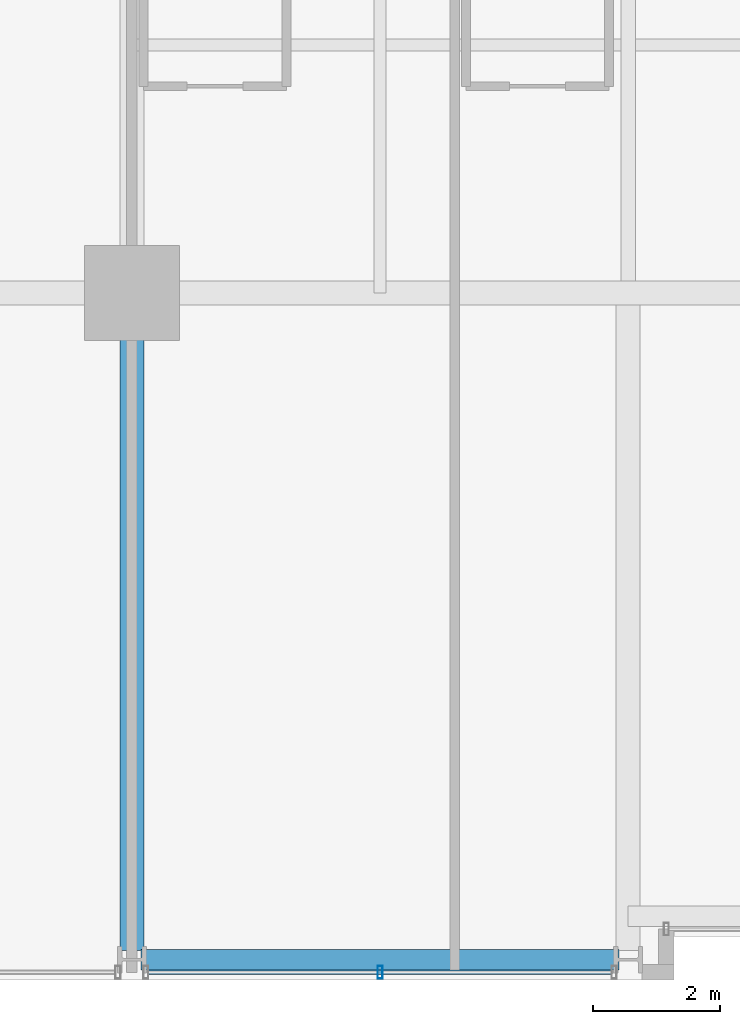
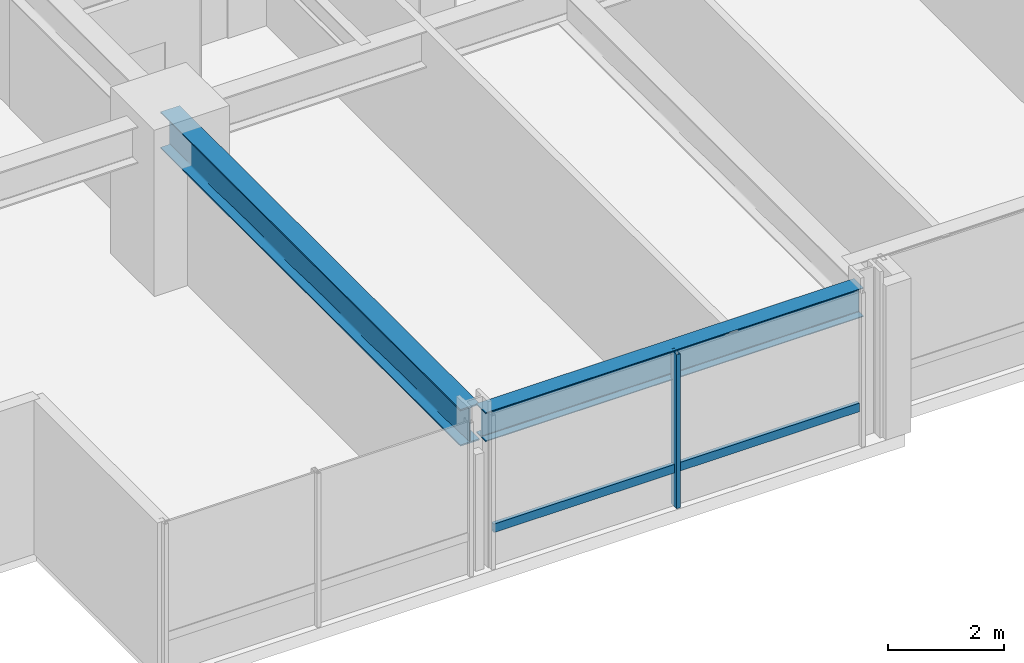
# One storey, part 3 of 35: 2 beams, 2 members, 1 element without a shape of its own.
"""IFC4 building model written with IfcOpenShell, lengths in metres."""

from ifc_helpers import new_model, si_unit, direction, frame, origin, origin_2d, place, context, subcontext, project, spatial, hollow_rectangle, i_section, extrude, material, layer, layer_set, material_profile, profile_set, type_object, element, aggregate, save


model = new_model("IFC4")

# Units and contexts
model_context = context("Model", 3, precision=1e-05, world=origin(), true_north=direction((0.0, 1.0)))
body_context = subcontext(model_context, "Body", "Model", "MODEL_VIEW")
ifc_project = project(units=[si_unit("LENGTHUNIT", "METRE"), si_unit("AREAUNIT", "SQUARE_METRE"), si_unit("VOLUMEUNIT", "CUBIC_METRE"), si_unit("PLANEANGLEUNIT", "RADIAN"), si_unit("MASSUNIT", "GRAM", prefix="KILO")], contexts=[model_context])

# Site, building, storey
site_placement = place(None, origin())
site = spatial("IfcSite", under=ifc_project, at=site_placement, CompositionType="ELEMENT")
building_placement = place(site_placement, origin())
building = spatial("IfcBuilding", under=site, at=building_placement, Name="Drelvath Grand Hotel", CompositionType="ELEMENT")
storey_placement = place(building_placement, frame((0.0, 0.0, 95.300048828125)))
storey = spatial("IfcBuildingStorey", under=building, at=storey_placement, Name="L23", CompositionType="ELEMENT", Elevation=95.300048828125)

# Curtain wall, members
ifc_material_1 = material(Name="Champagne Bronze Anodised Aluminium Frame", Category="aluminium")
ifc_layer = layer(ifc_material_1, 0.199951171875)
ifc_layer_set = layer_set([ifc_layer], Name="Champagne Bronze Anodised Aluminium Frame")
curtain_wall_type = type_object("IfcCurtainWallType", Name="Stick Curtain Wall CW-03 Champagne Bronze Mid-Rise", PredefinedType="NOTDEFINED", material=ifc_layer_set)
curtain_wall_placement = place(storey_placement, origin())
curtain_wall = element("IfcCurtainWall", 1, at=curtain_wall_placement, inside=storey, type_object=curtain_wall_type, Name="L23 CW-03 Curtain Wall CW03-L23-SW2", PredefinedType="NOTDEFINED")
ifc_material_profile_1 = material_profile(ifc_material_1, hollow_rectangle(XDim=0.074951171875, YDim=0.179931640625, WallThickness=0.0048828125, at=origin_2d()), Name="HSS180X75X5")
ifc_profile_set_1 = profile_set([ifc_material_profile_1], Name="Champagne Bronze Anodised Aluminium Frame")
member_type_1 = type_object("IfcMemberType", Name="Curtain Wall Horizontal Transom CW-03 HSS180X75X5", PredefinedType="USERDEFINED", material=ifc_profile_set_1)
member_1_placement = place(storey_placement, frame((-8.65966796875, 0.1201171875, 0.81005859375), z_axis=(-1.0, 0.0, 0.0), x_axis=(0.0, -1.0, 0.0)))
member_1 = element("IfcMember", 2, at=member_1_placement, type_object=member_type_1, Name="CW03-L23-SW2 Sill Transom", ObjectType="TRANSOM", PredefinedType="USERDEFINED", context=body_context, shape_type="SweptSolid", body=[
    extrude(hollow_rectangle(XDim=0.074951171875, YDim=0.179931640625, WallThickness=0.0048828125, at=origin_2d()), origin(), (0.0, 0.0, 1.0), 7.28076171875),
])
ifc_material_profile_2 = material_profile(ifc_material_1, hollow_rectangle(XDim=0.080078125, YDim=0.199951171875, WallThickness=0.0048828125, at=origin_2d()), Name="HSS200X80X5")
ifc_profile_set_2 = profile_set([ifc_material_profile_2], Name="Champagne Bronze Anodised Aluminium Frame")
member_type_2 = type_object("IfcMemberType", Name="Curtain Wall Vertical Mullion CW-03 HSS200X80X5", PredefinedType="MULLION", material=ifc_profile_set_2)
member_2_placement = place(storey_placement, frame((-12.300048828125, 0.1201171875, 0.0), z_axis=(0.0, 0.0, 1.0), x_axis=(1.0, 0.0, 0.0)))
member_2 = element("IfcMember", 3, at=member_2_placement, type_object=member_type_2, Name="CW03-L23-SW2 Mullion 2", PredefinedType="MULLION", context=body_context, shape_type="SweptSolid", body=[
    extrude(hollow_rectangle(XDim=0.080078125, YDim=0.199951171875, WallThickness=0.0048828125, at=origin_2d()), origin(), (0.0, 0.0, 1.0), 3.239990234375),
])
aggregate(curtain_wall, [member_2, member_1])

# Beams
ifc_material_2 = material(Name="Steel ASTM A992 Gr 50", Category="steel")
ifc_material_profile_3 = material_profile(ifc_material_2, i_section(OverallWidth=0.323974609375, OverallDepth=0.611083984375, WebThickness=0.0126953125, FlangeThickness=0.01904296875, FilletRadius=0.02197265625, at=origin_2d()), Name="W24X104")
ifc_profile_set_3 = profile_set([ifc_material_profile_3], Name="Steel ASTM A992 Gr 50")
beam_type_1 = type_object("IfcBeamType", Name="Perimeter Spandrel Beam W24X104", PredefinedType="SPANDREL", material=ifc_profile_set_3)
beam_1_placement = place(storey_placement, frame((-16.06005859375, 0.320068359375, 2.9345703125), z_axis=(1.0, 0.0, 0.0), x_axis=(0.0, 1.0, 0.0)))
element("IfcBeam", 4, at=beam_1_placement, inside=storey, type_object=beam_type_1, Name="L23 Spandrel South W", PredefinedType="SPANDREL", context=body_context, shape_type="SweptSolid", body=[
    extrude(i_section(OverallWidth=0.323974609375, OverallDepth=0.611083984375, WebThickness=0.0126953125, FlangeThickness=0.01904296875, FilletRadius=0.02197265625, at=origin_2d()), origin(), (0.0, 0.0, 1.0), 7.52001953125),
])
ifc_material_profile_4 = material_profile(ifc_material_2, i_section(OverallWidth=0.380615234375, OverallDepth=0.773193359375, WebThickness=0.0166015625, FlangeThickness=0.027099609375, FilletRadius=0.02490234375, at=origin_2d()), Name="W30X173")
ifc_profile_set_4 = profile_set([ifc_material_profile_4], Name="Steel ASTM A992 Gr 50")
beam_type_2 = type_object("IfcBeamType", Name="Primary Floor Girder W30X173", PredefinedType="BEAM", material=ifc_profile_set_4)
beam_2_placement = place(storey_placement, frame((-16.199951171875, 0.4599609375, 2.853271484375), z_axis=(0.0, 1.0, 0.0), x_axis=(-1.0, 0.0, 0.0)))
element("IfcBeam", 5, at=beam_2_placement, inside=storey, type_object=beam_type_2, Name="L23 South Grid Girder 3", PredefinedType="BEAM", context=body_context, shape_type="SweptSolid", body=[
    extrude(i_section(OverallWidth=0.380615234375, OverallDepth=0.773193359375, WebThickness=0.0166015625, FlangeThickness=0.027099609375, FilletRadius=0.02490234375, at=origin_2d()), origin(), (0.0, 0.0, 1.0), 10.340087890625),
])

save(model, "model.ifc")
